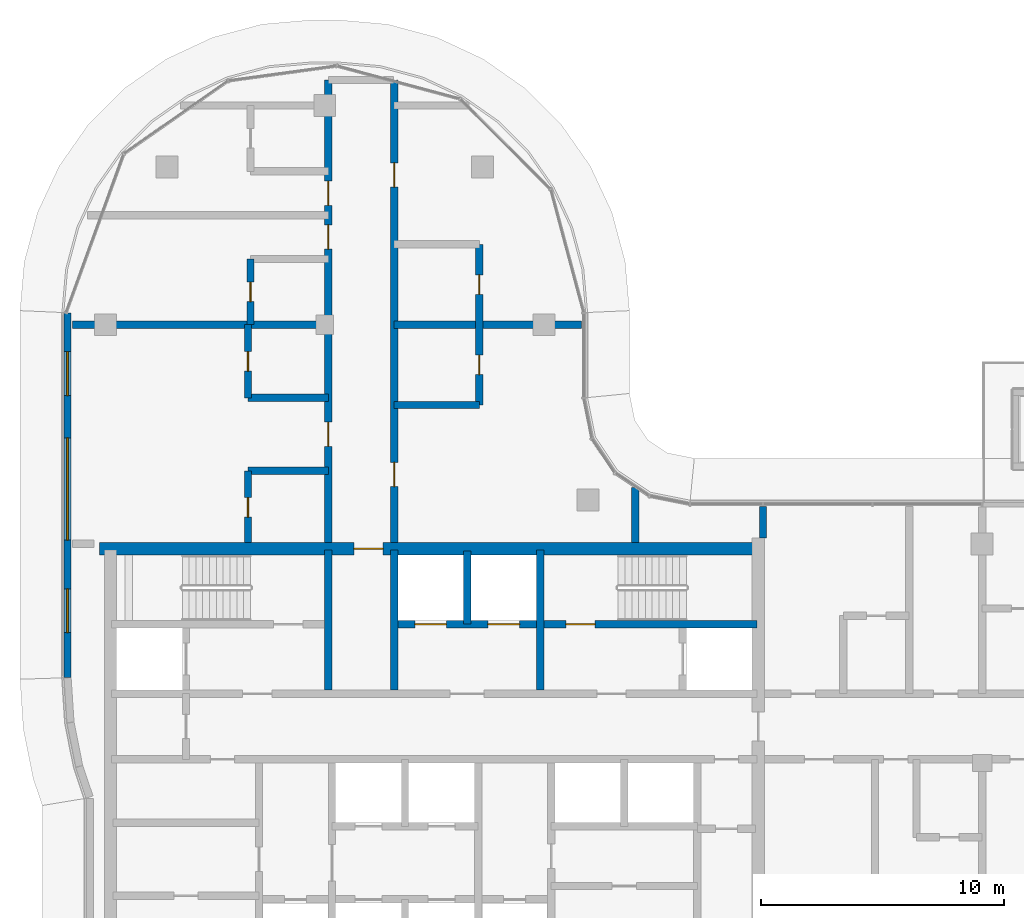
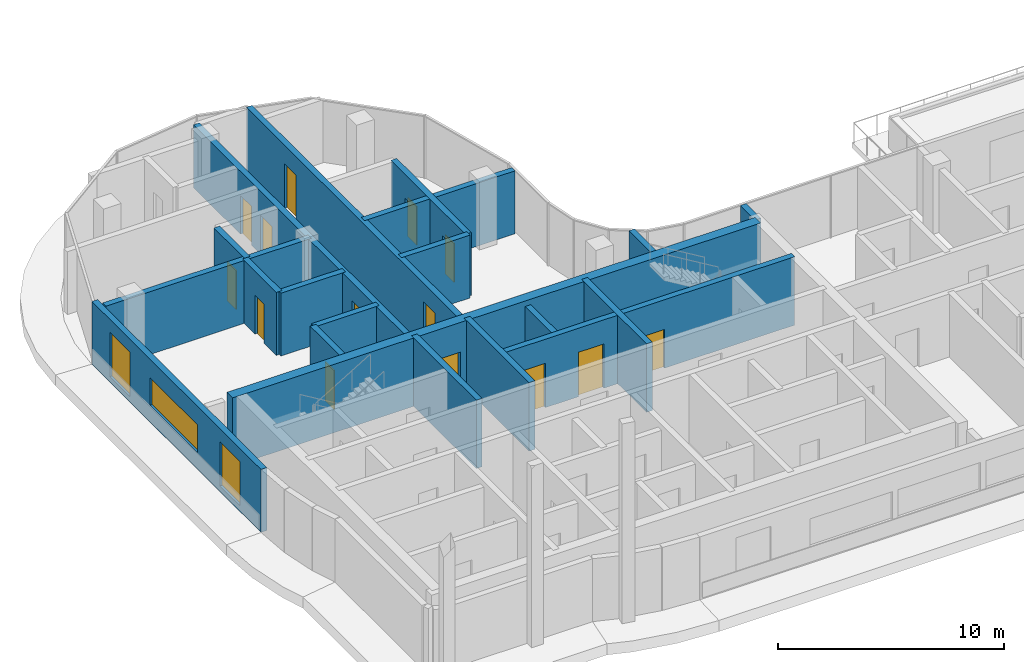
# One storey, part 10 of 20: 20 walls, 14 doors, 3 windows, 17 openings.
"""IFC4 building model written with IfcOpenShell, lengths in metres."""

from ifc_helpers import new_model, si_unit, direction, frame, frame_2d, origin, place, context, subcontext, project, spatial, rectangle, extrude, material, layer, layer_set, type_object, element, fill, save


model = new_model("IFC4")

# Units and contexts
model_context = context("Model", 3, precision=1e-05, world=origin(), true_north=direction((0.0, 1.0)))
body_context = subcontext(model_context, "Body", "Model", "MODEL_VIEW")
ifc_project = project(units=[si_unit("LENGTHUNIT", "METRE"), si_unit("AREAUNIT", "SQUARE_METRE"), si_unit("VOLUMEUNIT", "CUBIC_METRE"), si_unit("PLANEANGLEUNIT", "RADIAN"), si_unit("MASSUNIT", "GRAM", prefix="KILO")], contexts=[model_context])

# Site, building, storey
site_placement = place(None, origin())
site = spatial("IfcSite", under=ifc_project, at=site_placement, CompositionType="ELEMENT")
building_placement = place(site_placement, origin())
building = spatial("IfcBuilding", under=site, at=building_placement, Name="Ogive Portal Towers", CompositionType="ELEMENT")
storey_placement = place(building_placement, frame((0.0, 0.0, 195.800048828125)))
storey = spatial("IfcBuildingStorey", under=building, at=storey_placement, Name="L48", CompositionType="ELEMENT", Elevation=195.800048828125)

# Wall, openings, doors
ifc_material_1 = material(Name="Concrete C60/75", Category="concrete")
ifc_layer_1 = layer(ifc_material_1, 0.300048828125)
ifc_layer_set_1 = layer_set([ifc_layer_1], Name="CORE WALL 300 C60")
wall_type_1 = type_object("IfcWallType", Name="CORE WALL 300 C60", PredefinedType="SHEAR", material=ifc_layer_set_1)
wall_1_placement = place(storey_placement, frame((43.5, 36.199951171875, 0.0), z_axis=(0.0, 0.0, 1.0), x_axis=(1.0, 0.0, 0.0)))
wall_1 = element("IfcWall", 1, at=wall_1_placement, inside=storey, type_object=wall_type_1, Name="Core wall Y3b L48", PredefinedType="SHEAR", context=body_context, shape_type="SweptSolid", body=[
    extrude(rectangle(XDim=14.75, YDim=0.300048828125, at=frame_2d((7.375, 0.0))), origin(), (0.0, 0.0, 1.0), 3.699951171875),
])
opening_1_placement = place(wall_1_placement, frame((6.89990234375, 0.0, 0.0)))
opening_1 = element("IfcOpeningElement", 2, at=opening_1_placement, cuts=wall_1, Name="Opening D35-006", PredefinedType="OPENING", context=body_context, shape_type="SweptSolid", body=[
    extrude(rectangle(XDim=1.199951171875, YDim=2.10009765625, at=frame_2d((0.60009765625, 1.050048828125))), frame((0.0, 0.16015625, 0.0), z_axis=(0.0, -1.0, 0.0), x_axis=(1.0, 0.0, 0.0)), (0.0, 0.0, 1.0), 0.320068359375),
])
opening_2_placement = place(wall_1_placement, frame((0.699951171875, 0.0, 0.0)))
opening_2 = element("IfcOpeningElement", 3, at=opening_2_placement, cuts=wall_1, Name="Opening D35-017", PredefinedType="OPENING", context=body_context, shape_type="SweptSolid", body=[
    extrude(rectangle(XDim=1.300048828125, YDim=2.39990234375, at=frame_2d((0.64990234375, 1.199951171875))), frame((0.0, 0.16015625, 0.0), z_axis=(0.0, -1.0, 0.0), x_axis=(1.0, 0.0, 0.0)), (0.0, 0.0, 1.0), 0.320068359375),
])
opening_3_placement = place(wall_1_placement, frame((3.699951171875, 0.0, 0.0)))
opening_3 = element("IfcOpeningElement", 4, at=opening_3_placement, cuts=wall_1, Name="Opening D35-018", PredefinedType="OPENING", context=body_context, shape_type="SweptSolid", body=[
    extrude(rectangle(XDim=1.300048828125, YDim=2.39990234375, at=frame_2d((0.64990234375, 1.199951171875))), frame((0.0, 0.16015625, 0.0), z_axis=(0.0, -1.0, 0.0), x_axis=(1.0, 0.0, 0.0)), (0.0, 0.0, 1.0), 0.320068359375),
])
ifc_material_2 = material(Name="Stainless steel", Category="steel")
door_type_1 = type_object("IfcDoorType", Name="DT-LD-1300x2400", OperationType="SLIDING_TO_LEFT", PredefinedType="DOOR", material=ifc_material_2)
door_1_placement = place(opening_2_placement, origin())
door_1 = element("IfcDoor", 5, at=door_1_placement, inside=storey, type_object=door_type_1, Name="Door D35-017", OperationType="SLIDING_TO_LEFT", OverallHeight=2.39990234375, OverallWidth=1.300048828125, PredefinedType="DOOR", context=body_context, shape_type="SweptSolid", body=[
    extrude(rectangle(XDim=1.300048828125, YDim=2.39990234375, at=frame_2d((0.64990234375, 1.199951171875))), frame((0.0, 0.02490234375, 0.0), z_axis=(0.0, -1.0, 0.0), x_axis=(1.0, 0.0, 0.0)), (0.0, 0.0, 1.0), 0.050048828125),
])
fill(opening_2, door_1)
door_2_placement = place(opening_3_placement, origin())
door_2 = element("IfcDoor", 6, at=door_2_placement, inside=storey, type_object=door_type_1, Name="Door D35-018", OperationType="SLIDING_TO_LEFT", OverallHeight=2.39990234375, OverallWidth=1.300048828125, PredefinedType="DOOR", context=body_context, shape_type="SweptSolid", body=[
    extrude(rectangle(XDim=1.300048828125, YDim=2.39990234375, at=frame_2d((0.64990234375, 1.199951171875))), frame((0.0, 0.02490234375, 0.0), z_axis=(0.0, -1.0, 0.0), x_axis=(1.0, 0.0, 0.0)), (0.0, 0.0, 1.0), 0.050048828125),
])
fill(opening_3, door_2)
ifc_material_3 = material(Name="Steel fire door", Category="steel")
door_type_2 = type_object("IfcDoorType", Name="DT-SWING-1200x2100-FD90S", OperationType="SINGLE_SWING_LEFT", PredefinedType="DOOR", material=ifc_material_3)
door_3_placement = place(opening_1_placement, origin())
door_3 = element("IfcDoor", 7, at=door_3_placement, inside=storey, type_object=door_type_2, Name="Door D35-006", OperationType="SINGLE_SWING_LEFT", OverallHeight=2.10009765625, OverallWidth=1.199951171875, PredefinedType="DOOR", context=body_context, shape_type="SweptSolid", body=[
    extrude(rectangle(XDim=1.199951171875, YDim=2.10009765625, at=frame_2d((0.60009765625, 1.050048828125))), frame((0.0, 0.02490234375, 0.0), z_axis=(0.0, -1.0, 0.0), x_axis=(1.0, 0.0, 0.0)), (0.0, 0.0, 1.0), 0.050048828125),
])
fill(opening_1, door_3)

# Walls
for number, where, z_axis, x_axis, name in (
    (8, (40.64990234375, 33.5, 0.0), (0.0, 0.0, 1.0), (0.0, 1.0, 0.0), "Core wall X6 L48"),
    (9, (43.35009765625, 33.5, 0.0), (0.0, 0.0, 1.0), (0.0, 1.0, 0.0), "Core wall X7 L48"),
    (10, (49.35009765625, 33.5, 0.0), (0.0, 0.0, 1.0), (0.0, 1.0, 0.0), "Core wall X9 L48"),
):
    element("IfcWall", number, at=place(storey_placement, frame(where, z_axis=z_axis, x_axis=x_axis)), inside=storey, type_object=wall_type_1, Name=name, PredefinedType="SHEAR", context=body_context, shape_type="SweptSolid", body=[
        extrude(rectangle(XDim=5.75, YDim=0.300048828125, at=frame_2d((2.875, 0.0))), origin(), (0.0, 0.0, 1.0), 3.699951171875),
    ])

# Wall, opening, door
ifc_layer_2 = layer(ifc_material_1, 0.5)
ifc_layer_set_2 = layer_set([ifc_layer_2], Name="CORE WALL 500 C60")
wall_type_2 = type_object("IfcWallType", Name="CORE WALL 500 C60", PredefinedType="SHEAR", material=ifc_layer_set_2)
wall_2_placement = place(storey_placement, frame((31.25, 39.300048828125, 0.0), z_axis=(0.0, 0.0, 1.0), x_axis=(1.0, 0.0, 0.0)))
wall_2 = element("IfcWall", 11, at=wall_2_placement, inside=storey, type_object=wall_type_2, Name="Core wall N L48", PredefinedType="SHEAR", context=body_context, shape_type="SweptSolid", body=[
    extrude(rectangle(XDim=27.0, YDim=0.5, at=frame_2d((13.5, 0.0))), origin(), (0.0, 0.0, 1.0), 3.699951171875),
])
opening_4_placement = place(wall_2_placement, frame((10.449951171875, 0.0, 0.0)))
opening_4 = element("IfcOpeningElement", 12, at=opening_4_placement, cuts=wall_2, Name="Opening D35-012", PredefinedType="OPENING", context=body_context, shape_type="SweptSolid", body=[
    extrude(rectangle(XDim=1.199951171875, YDim=2.10009765625, at=frame_2d((0.60009765625, 1.050048828125))), frame((0.0, 0.260009765625, 0.0), z_axis=(0.0, -1.0, 0.0), x_axis=(1.0, 0.0, 0.0)), (0.0, 0.0, 1.0), 0.52001953125),
])
door_4_placement = place(opening_4_placement, origin())
door_4 = element("IfcDoor", 13, at=door_4_placement, inside=storey, type_object=door_type_2, Name="Door D35-012", OperationType="SINGLE_SWING_RIGHT", OverallHeight=2.10009765625, OverallWidth=1.199951171875, PredefinedType="DOOR", context=body_context, shape_type="SweptSolid", body=[
    extrude(rectangle(XDim=1.199951171875, YDim=2.10009765625, at=frame_2d((0.60009765625, 1.050048828125))), frame((0.0, 0.02490234375, 0.0), z_axis=(0.0, -1.0, 0.0), x_axis=(1.0, 0.0, 0.0)), (0.0, 0.0, 1.0), 0.050048828125),
])
fill(opening_4, door_4)

# Wall, openings, windows
ifc_material_4 = material(Name="Limestone cladding on lightweight block wall", Category="masonry")
ifc_layer_3 = layer(ifc_material_4, 0.300048828125)
ifc_layer_set_3 = layer_set([ifc_layer_3], Name="EXTERNAL WALL 300 STONE")
wall_type_3 = type_object("IfcWallType", Name="EXTERNAL WALL 300 STONE", PredefinedType="SOLIDWALL", material=ifc_layer_set_3)
wall_3_placement = place(storey_placement, frame((29.93505859375, 48.98583984375, 0.0), z_axis=(0.0, 0.0, 1.0), x_axis=(0.0, -1.0, 0.0)))
wall_3 = element("IfcWall", 14, at=wall_3_placement, inside=storey, type_object=wall_type_3, Name="A:L48:f25:r0:wall", PredefinedType="SOLIDWALL", context=body_context, shape_type="SweptSolid", body=[
    extrude(rectangle(XDim=14.97607421875, YDim=0.300048828125, at=frame_2d((7.488037109375, 0.0))), origin(), (0.0, 0.0, 1.0), 3.39990234375),
])
opening_5_placement = place(wall_3_placement, frame((1.593017578125, 0.0, 0.300048828125)))
opening_5 = element("IfcOpeningElement", 15, at=opening_5_placement, cuts=wall_3, Name="Opening WN10", PredefinedType="OPENING", context=body_context, shape_type="SweptSolid", body=[
    extrude(rectangle(XDim=1.800048828125, YDim=2.39990234375, at=frame_2d((0.89990234375, 1.199951171875))), frame((0.0, 0.16015625, 0.0), z_axis=(0.0, -1.0, 0.0), x_axis=(1.0, 0.0, 0.0)), (0.0, 0.0, 1.0), 0.320068359375),
])
opening_6_placement = place(wall_3_placement, frame((5.135986328125, 0.0, 0.89990234375)))
opening_6 = element("IfcOpeningElement", 16, at=opening_6_placement, cuts=wall_3, Name="Opening WN11", PredefinedType="OPENING", context=body_context, shape_type="SweptSolid", body=[
    extrude(rectangle(XDim=4.199951171875, YDim=1.5, at=frame_2d((2.10009765625, 0.75))), frame((0.0, 0.16015625, 0.0), z_axis=(0.0, -1.0, 0.0), x_axis=(1.0, 0.0, 0.0)), (0.0, 0.0, 1.0), 0.320068359375),
])
opening_7_placement = place(wall_3_placement, frame((11.3310546875, 0.0, 0.300048828125)))
opening_7 = element("IfcOpeningElement", 17, at=opening_7_placement, cuts=wall_3, Name="Opening WN10", PredefinedType="OPENING", context=body_context, shape_type="SweptSolid", body=[
    extrude(rectangle(XDim=1.800048828125, YDim=2.39990234375, at=frame_2d((0.89990234375, 1.199951171875))), frame((0.0, 0.16015625, 0.0), z_axis=(0.0, -1.0, 0.0), x_axis=(1.0, 0.0, 0.0)), (0.0, 0.0, 1.0), 0.320068359375),
])
ifc_material_5 = material(Name="Glass, clear low-iron insulated glazing", Category="glass")
window_type_1 = type_object("IfcWindowType", Name="WINDOW RIBBON 4200x1500", PartitioningType="TRIPLE_PANEL_VERTICAL", PredefinedType="WINDOW", material=ifc_material_5)
window_1_placement = place(opening_6_placement, origin())
window_1 = element("IfcWindow", 18, at=window_1_placement, inside=storey, type_object=window_type_1, Name="A:L48:f25:r0:w1", OverallHeight=1.5, OverallWidth=4.199951171875, PartitioningType="SINGLE_PANEL", PredefinedType="WINDOW", context=body_context, shape_type="SweptSolid", body=[
    extrude(rectangle(XDim=4.199951171875, YDim=1.5, at=frame_2d((2.10009765625, 0.75))), frame((0.0, 0.030029296875, 0.0), z_axis=(0.0, -1.0, 0.0), x_axis=(1.0, 0.0, 0.0)), (0.0, 0.0, 1.0), 0.06005859375),
])
fill(opening_6, window_1)
window_type_2 = type_object("IfcWindowType", Name="WINDOW SUITE CORNER 1800x2400", PartitioningType="DOUBLE_PANEL_VERTICAL", PredefinedType="WINDOW", material=ifc_material_5)
window_2_placement = place(opening_5_placement, origin())
window_2 = element("IfcWindow", 19, at=window_2_placement, inside=storey, type_object=window_type_2, Name="A:L48:f25:r0:w0", OverallHeight=2.39990234375, OverallWidth=1.800048828125, PartitioningType="SINGLE_PANEL", PredefinedType="WINDOW", context=body_context, shape_type="SweptSolid", body=[
    extrude(rectangle(XDim=1.800048828125, YDim=2.39990234375, at=frame_2d((0.89990234375, 1.199951171875))), frame((0.0, 0.030029296875, 0.0), z_axis=(0.0, -1.0, 0.0), x_axis=(1.0, 0.0, 0.0)), (0.0, 0.0, 1.0), 0.06005859375),
])
fill(opening_5, window_2)
window_3_placement = place(opening_7_placement, origin())
window_3 = element("IfcWindow", 20, at=window_3_placement, inside=storey, type_object=window_type_2, Name="A:L48:f25:r0:w2", OverallHeight=2.39990234375, OverallWidth=1.800048828125, PartitioningType="SINGLE_PANEL", PredefinedType="WINDOW", context=body_context, shape_type="SweptSolid", body=[
    extrude(rectangle(XDim=1.800048828125, YDim=2.39990234375, at=frame_2d((0.89990234375, 1.199951171875))), frame((0.0, 0.030029296875, 0.0), z_axis=(0.0, -1.0, 0.0), x_axis=(1.0, 0.0, 0.0)), (0.0, 0.0, 1.0), 0.06005859375),
])
fill(opening_7, window_3)

# Walls
ifc_material_6 = material(Name="Gypsum board partition on steel studs", Category="steel")
ifc_layer_4 = layer(ifc_material_6, 0.300048828125)
ifc_layer_set_4 = layer_set([ifc_layer_4], Name="WT-PART-300-EI 60")
wall_type_4 = type_object("IfcWallType", Name="WT-PART-300-EI 60", PredefinedType="PARTITIONING", material=ifc_layer_set_4)
wall_4_placement = place(storey_placement, frame((37.35009765625, 42.5, 0.0), z_axis=(0.0, 0.0, 1.0), x_axis=(1.0, 0.0, 0.0)))
element("IfcWall", 21, at=wall_4_placement, inside=storey, type_object=wall_type_4, Name="Wall L48:w014", PredefinedType="PARTITIONING", context=body_context, shape_type="SweptSolid", body=[
    extrude(rectangle(XDim=3.2998046875, YDim=0.300048828125, at=frame_2d((1.64990234375, 0.0))), origin(), (0.0, 0.0, 1.0), 3.39990234375),
])
wall_5_placement = place(storey_placement, frame((43.35009765625, 45.199951171875, 0.0), z_axis=(0.0, 0.0, 1.0), x_axis=(1.0, 0.0, 0.0)))
element("IfcWall", 22, at=wall_5_placement, inside=storey, type_object=wall_type_4, Name="Wall L48:w015", PredefinedType="PARTITIONING", context=body_context, shape_type="SweptSolid", body=[
    extrude(rectangle(XDim=3.5, YDim=0.300048828125, at=frame_2d((1.75, 0.0))), origin(), (0.0, 0.0, 1.0), 3.39990234375),
])
wall_6_placement = place(storey_placement, frame((37.35009765625, 45.5, 0.0), z_axis=(0.0, 0.0, 1.0), x_axis=(1.0, 0.0, 0.0)))
element("IfcWall", 23, at=wall_6_placement, inside=storey, type_object=wall_type_4, Name="Wall L48:w016", PredefinedType="PARTITIONING", context=body_context, shape_type="SweptSolid", body=[
    extrude(rectangle(XDim=3.2998046875, YDim=0.300048828125, at=frame_2d((1.64990234375, 0.0))), origin(), (0.0, 0.0, 1.0), 3.39990234375),
])
wall_7_placement = place(storey_placement, frame((30.135009765625, 48.5, 0.0), z_axis=(0.0, 0.0, 1.0), x_axis=(1.0, 0.0, 0.0)))
element("IfcWall", 24, at=wall_7_placement, inside=storey, type_object=wall_type_4, Name="Wall L48:w017", PredefinedType="PARTITIONING", context=body_context, shape_type="SweptSolid", body=[
    extrude(rectangle(XDim=10.514892578125, YDim=0.300048828125, at=frame_2d((5.25732421875, 0.0))), origin(), (0.0, 0.0, 1.0), 3.39990234375),
])
wall_8_placement = place(storey_placement, frame((43.35009765625, 48.5, 0.0), z_axis=(0.0, 0.0, 1.0), x_axis=(1.0, 0.0, 0.0)))
element("IfcWall", 25, at=wall_8_placement, inside=storey, type_object=wall_type_4, Name="Wall L48:w018", PredefinedType="PARTITIONING", context=body_context, shape_type="SweptSolid", body=[
    extrude(rectangle(XDim=7.69482421875, YDim=0.300048828125, at=frame_2d((3.847412109375, 0.0))), origin(), (0.0, 0.0, 1.0), 3.39990234375),
])

# Wall, opening, door
wall_9_placement = place(storey_placement, frame((37.35009765625, 39.550048828125, 0.0), z_axis=(0.0, 0.0, 1.0), x_axis=(0.0, 1.0, 0.0)))
wall_9 = element("IfcWall", 26, at=wall_9_placement, inside=storey, type_object=wall_type_4, Name="Wall L48:w026", PredefinedType="PARTITIONING", context=body_context, shape_type="SweptSolid", body=[
    extrude(rectangle(XDim=2.949951171875, YDim=0.300048828125, at=frame_2d((1.47509765625, 0.0))), origin(), (0.0, 0.0, 1.0), 3.39990234375),
])
opening_8_placement = place(wall_9_placement, frame((1.050048828125, 0.0, 0.0)))
opening_8 = element("IfcOpeningElement", 27, at=opening_8_placement, cuts=wall_9, Name="Opening D35-045", PredefinedType="OPENING", context=body_context, shape_type="SweptSolid", body=[
    extrude(rectangle(XDim=0.800048828125, YDim=2.10009765625, at=frame_2d((0.39990234375, 1.050048828125))), frame((0.0, 0.16015625, 0.0), z_axis=(0.0, -1.0, 0.0), x_axis=(1.0, 0.0, 0.0)), (0.0, 0.0, 1.0), 0.320068359375),
])
door_type_3 = type_object("IfcDoorType", Name="DT-BATH-800x2100-FD60S", OperationType="SINGLE_SWING_LEFT", PredefinedType="DOOR", material=ifc_material_3)
door_5_placement = place(opening_8_placement, origin())
door_5 = element("IfcDoor", 28, at=door_5_placement, inside=storey, type_object=door_type_3, Name="Door D35-045", OperationType="SINGLE_SWING_LEFT", OverallHeight=2.10009765625, OverallWidth=0.800048828125, PredefinedType="DOOR", context=body_context, shape_type="SweptSolid", body=[
    extrude(rectangle(XDim=0.800048828125, YDim=2.10009765625, at=frame_2d((0.39990234375, 1.050048828125))), frame((0.0, 0.02490234375, 0.0), z_axis=(0.0, -1.0, 0.0), x_axis=(1.0, 0.0, 0.0)), (0.0, 0.0, 1.0), 0.050048828125),
])
fill(opening_8, door_5)

wall_10_placement = place(storey_placement, frame((37.35009765625, 45.5, 0.0), z_axis=(0.0, 0.0, 1.0), x_axis=(0.0, 1.0, 0.0)))
wall_10 = element("IfcWall", 29, at=wall_10_placement, inside=storey, type_object=wall_type_4, Name="Wall L48:w027", PredefinedType="PARTITIONING", context=body_context, shape_type="SweptSolid", body=[
    extrude(rectangle(XDim=3.0, YDim=0.300048828125, at=frame_2d((1.5, 0.0))), origin(), (0.0, 0.0, 1.0), 3.39990234375),
])
opening_9_placement = place(wall_10_placement, frame((1.10009765625, 0.0, 0.0)))
opening_9 = element("IfcOpeningElement", 30, at=opening_9_placement, cuts=wall_10, Name="Opening D35-046", PredefinedType="OPENING", context=body_context, shape_type="SweptSolid", body=[
    extrude(rectangle(XDim=0.800048828125, YDim=2.10009765625, at=frame_2d((0.39990234375, 1.050048828125))), frame((0.0, 0.16015625, 0.0), z_axis=(0.0, -1.0, 0.0), x_axis=(1.0, 0.0, 0.0)), (0.0, 0.0, 1.0), 0.320068359375),
])
door_6_placement = place(opening_9_placement, origin())
door_6 = element("IfcDoor", 31, at=door_6_placement, inside=storey, type_object=door_type_3, Name="Door D35-046", OperationType="SINGLE_SWING_RIGHT", OverallHeight=2.10009765625, OverallWidth=0.800048828125, PredefinedType="DOOR", context=body_context, shape_type="SweptSolid", body=[
    extrude(rectangle(XDim=0.800048828125, YDim=2.10009765625, at=frame_2d((0.39990234375, 1.050048828125))), frame((0.0, 0.02490234375, 0.0), z_axis=(0.0, -1.0, 0.0), x_axis=(1.0, 0.0, 0.0)), (0.0, 0.0, 1.0), 0.050048828125),
])
fill(opening_9, door_6)

wall_11_placement = place(storey_placement, frame((37.449951171875, 48.5, 0.0), z_axis=(0.0, 0.0, 1.0), x_axis=(0.0, 1.0, 0.0)))
wall_11 = element("IfcWall", 32, at=wall_11_placement, inside=storey, type_object=wall_type_4, Name="Wall L48:w028", PredefinedType="PARTITIONING", context=body_context, shape_type="SweptSolid", body=[
    extrude(rectangle(XDim=2.699951171875, YDim=0.300048828125, at=frame_2d((1.35009765625, 0.0))), origin(), (0.0, 0.0, 1.0), 3.39990234375),
])
opening_10_placement = place(wall_11_placement, frame((0.949951171875, 0.0, 0.0)))
opening_10 = element("IfcOpeningElement", 33, at=opening_10_placement, cuts=wall_11, Name="Opening D35-050", PredefinedType="OPENING", context=body_context, shape_type="SweptSolid", body=[
    extrude(rectangle(XDim=0.800048828125, YDim=2.10009765625, at=frame_2d((0.39990234375, 1.050048828125))), frame((0.0, 0.16015625, 0.0), z_axis=(0.0, -1.0, 0.0), x_axis=(1.0, 0.0, 0.0)), (0.0, 0.0, 1.0), 0.320068359375),
])
door_7_placement = place(opening_10_placement, origin())
door_7 = element("IfcDoor", 34, at=door_7_placement, inside=storey, type_object=door_type_3, Name="Door D35-050", OperationType="SINGLE_SWING_LEFT", OverallHeight=2.10009765625, OverallWidth=0.800048828125, PredefinedType="DOOR", context=body_context, shape_type="SweptSolid", body=[
    extrude(rectangle(XDim=0.800048828125, YDim=2.10009765625, at=frame_2d((0.39990234375, 1.050048828125))), frame((0.0, 0.02490234375, 0.0), z_axis=(0.0, -1.0, 0.0), x_axis=(1.0, 0.0, 0.0)), (0.0, 0.0, 1.0), 0.050048828125),
])
fill(opening_10, door_7)

# Wall, openings, doors
wall_12_placement = place(storey_placement, frame((40.64990234375, 39.550048828125, 0.0), z_axis=(0.0, 0.0, 1.0), x_axis=(0.0, 1.0, 0.0)))
wall_12 = element("IfcWall", 35, at=wall_12_placement, inside=storey, type_object=wall_type_4, Name="Wall L48:w030", PredefinedType="PARTITIONING", context=body_context, shape_type="SweptSolid", body=[
    extrude(rectangle(XDim=19.0, YDim=0.300048828125, at=frame_2d((9.5, 0.0))), origin(), (0.0, 0.0, 1.0), 3.39990234375),
])
opening_11_placement = place(wall_12_placement, frame((3.949951171875, 0.0, 0.0)))
opening_11 = element("IfcOpeningElement", 36, at=opening_11_placement, cuts=wall_12, Name="Opening D35-047", PredefinedType="OPENING", context=body_context, shape_type="SweptSolid", body=[
    extrude(rectangle(XDim=1.0, YDim=2.39990234375, at=frame_2d((0.5, 1.199951171875))), frame((0.0, 0.16015625, 0.0), z_axis=(0.0, -1.0, 0.0), x_axis=(1.0, 0.0, 0.0)), (0.0, 0.0, 1.0), 0.320068359375),
])
opening_12_placement = place(wall_12_placement, frame((12.050048828125, 0.0, 0.0)))
opening_12 = element("IfcOpeningElement", 37, at=opening_12_placement, cuts=wall_12, Name="Opening D35-051", PredefinedType="OPENING", context=body_context, shape_type="SweptSolid", body=[
    extrude(rectangle(XDim=1.0, YDim=2.10009765625, at=frame_2d((0.5, 1.050048828125))), frame((0.0, 0.16015625, 0.0), z_axis=(0.0, -1.0, 0.0), x_axis=(1.0, 0.0, 0.0)), (0.0, 0.0, 1.0), 0.320068359375),
])
opening_13_placement = place(wall_12_placement, frame((13.85009765625, 0.0, 0.0)))
opening_13 = element("IfcOpeningElement", 38, at=opening_13_placement, cuts=wall_12, Name="Opening D35-053", PredefinedType="OPENING", context=body_context, shape_type="SweptSolid", body=[
    extrude(rectangle(XDim=1.0, YDim=2.10009765625, at=frame_2d((0.5, 1.050048828125))), frame((0.0, 0.16015625, 0.0), z_axis=(0.0, -1.0, 0.0), x_axis=(1.0, 0.0, 0.0)), (0.0, 0.0, 1.0), 0.320068359375),
])
door_type_4 = type_object("IfcDoorType", Name="DT-ENTRY-1000x2100-FD60S", OperationType="SINGLE_SWING_LEFT", PredefinedType="DOOR", material=ifc_material_3)
door_8_placement = place(opening_12_placement, origin())
door_8 = element("IfcDoor", 39, at=door_8_placement, inside=storey, type_object=door_type_4, Name="Door D35-051", OperationType="SINGLE_SWING_RIGHT", OverallHeight=2.10009765625, OverallWidth=1.0, PredefinedType="DOOR", context=body_context, shape_type="SweptSolid", body=[
    extrude(rectangle(XDim=1.0, YDim=2.10009765625, at=frame_2d((0.5, 1.050048828125))), frame((0.0, 0.02490234375, 0.0), z_axis=(0.0, -1.0, 0.0), x_axis=(1.0, 0.0, 0.0)), (0.0, 0.0, 1.0), 0.050048828125),
])
fill(opening_12, door_8)
door_9_placement = place(opening_13_placement, origin())
door_9 = element("IfcDoor", 40, at=door_9_placement, inside=storey, type_object=door_type_4, Name="Door D35-053", OperationType="SINGLE_SWING_LEFT", OverallHeight=2.10009765625, OverallWidth=1.0, PredefinedType="DOOR", context=body_context, shape_type="SweptSolid", body=[
    extrude(rectangle(XDim=1.0, YDim=2.10009765625, at=frame_2d((0.5, 1.050048828125))), frame((0.0, 0.02490234375, 0.0), z_axis=(0.0, -1.0, 0.0), x_axis=(1.0, 0.0, 0.0)), (0.0, 0.0, 1.0), 0.050048828125),
])
fill(opening_13, door_9)
door_type_5 = type_object("IfcDoorType", Name="DT-ENTRY-1000x2400-FD60S", OperationType="SINGLE_SWING_LEFT", PredefinedType="DOOR", material=ifc_material_3)
door_10_placement = place(opening_11_placement, origin())
door_10 = element("IfcDoor", 41, at=door_10_placement, inside=storey, type_object=door_type_5, Name="Door D35-047", OperationType="SINGLE_SWING_LEFT", OverallHeight=2.39990234375, OverallWidth=1.0, PredefinedType="DOOR", context=body_context, shape_type="SweptSolid", body=[
    extrude(rectangle(XDim=1.0, YDim=2.39990234375, at=frame_2d((0.5, 1.199951171875))), frame((0.0, 0.02490234375, 0.0), z_axis=(0.0, -1.0, 0.0), x_axis=(1.0, 0.0, 0.0)), (0.0, 0.0, 1.0), 0.050048828125),
])
fill(opening_11, door_10)

wall_13_placement = place(storey_placement, frame((43.35009765625, 39.550048828125, 0.0), z_axis=(0.0, 0.0, 1.0), x_axis=(0.0, 1.0, 0.0)))
wall_13 = element("IfcWall", 42, at=wall_13_placement, inside=storey, type_object=wall_type_4, Name="Wall L48:w031", PredefinedType="PARTITIONING", context=body_context, shape_type="SweptSolid", body=[
    extrude(rectangle(XDim=18.992919921875, YDim=0.300048828125, at=frame_2d((9.49658203125, 0.0))), origin(), (0.0, 0.0, 1.0), 3.39990234375),
])
opening_14_placement = place(wall_13_placement, frame((2.300048828125, 0.0, 0.0)))
opening_14 = element("IfcOpeningElement", 43, at=opening_14_placement, cuts=wall_13, Name="Opening D35-044", PredefinedType="OPENING", context=body_context, shape_type="SweptSolid", body=[
    extrude(rectangle(XDim=1.0, YDim=2.39990234375, at=frame_2d((0.5, 1.199951171875))), frame((0.0, 0.16015625, 0.0), z_axis=(0.0, -1.0, 0.0), x_axis=(1.0, 0.0, 0.0)), (0.0, 0.0, 1.0), 0.320068359375),
])
opening_15_placement = place(wall_13_placement, frame((14.60009765625, 0.0, 0.0)))
opening_15 = element("IfcOpeningElement", 44, at=opening_15_placement, cuts=wall_13, Name="Opening D35-049", PredefinedType="OPENING", context=body_context, shape_type="SweptSolid", body=[
    extrude(rectangle(XDim=1.0, YDim=2.39990234375, at=frame_2d((0.5, 1.199951171875))), frame((0.0, 0.16015625, 0.0), z_axis=(0.0, -1.0, 0.0), x_axis=(1.0, 0.0, 0.0)), (0.0, 0.0, 1.0), 0.320068359375),
])
door_11_placement = place(opening_14_placement, origin())
door_11 = element("IfcDoor", 45, at=door_11_placement, inside=storey, type_object=door_type_5, Name="Door D35-044", OperationType="SINGLE_SWING_LEFT", OverallHeight=2.39990234375, OverallWidth=1.0, PredefinedType="DOOR", context=body_context, shape_type="SweptSolid", body=[
    extrude(rectangle(XDim=1.0, YDim=2.39990234375, at=frame_2d((0.5, 1.199951171875))), frame((0.0, 0.02490234375, 0.0), z_axis=(0.0, -1.0, 0.0), x_axis=(1.0, 0.0, 0.0)), (0.0, 0.0, 1.0), 0.050048828125),
])
fill(opening_14, door_11)
door_12_placement = place(opening_15_placement, origin())
door_12 = element("IfcDoor", 46, at=door_12_placement, inside=storey, type_object=door_type_5, Name="Door D35-049", OperationType="SINGLE_SWING_LEFT", OverallHeight=2.39990234375, OverallWidth=1.0, PredefinedType="DOOR", context=body_context, shape_type="SweptSolid", body=[
    extrude(rectangle(XDim=1.0, YDim=2.39990234375, at=frame_2d((0.5, 1.199951171875))), frame((0.0, 0.02490234375, 0.0), z_axis=(0.0, -1.0, 0.0), x_axis=(1.0, 0.0, 0.0)), (0.0, 0.0, 1.0), 0.050048828125),
])
fill(opening_15, door_12)

wall_14_placement = place(storey_placement, frame((46.85009765625, 45.199951171875, 0.0), z_axis=(0.0, 0.0, 1.0), x_axis=(0.0, 1.0, 0.0)))
wall_14 = element("IfcWall", 47, at=wall_14_placement, inside=storey, type_object=wall_type_4, Name="Wall L48:w032", PredefinedType="PARTITIONING", context=body_context, shape_type="SweptSolid", body=[
    extrude(rectangle(XDim=6.60009765625, YDim=0.300048828125, at=frame_2d((3.300048828125, 0.0))), origin(), (0.0, 0.0, 1.0), 3.39990234375),
])
opening_16_placement = place(wall_14_placement, frame((1.25, 0.0, 0.0)))
opening_16 = element("IfcOpeningElement", 48, at=opening_16_placement, cuts=wall_14, Name="Opening D35-043", PredefinedType="OPENING", context=body_context, shape_type="SweptSolid", body=[
    extrude(rectangle(XDim=0.800048828125, YDim=2.10009765625, at=frame_2d((0.39990234375, 1.050048828125))), frame((0.0, 0.16015625, 0.0), z_axis=(0.0, -1.0, 0.0), x_axis=(1.0, 0.0, 0.0)), (0.0, 0.0, 1.0), 0.320068359375),
])
opening_17_placement = place(wall_14_placement, frame((4.550048828125, 0.0, 0.0)))
opening_17 = element("IfcOpeningElement", 49, at=opening_17_placement, cuts=wall_14, Name="Opening D35-048", PredefinedType="OPENING", context=body_context, shape_type="SweptSolid", body=[
    extrude(rectangle(XDim=0.800048828125, YDim=2.10009765625, at=frame_2d((0.39990234375, 1.050048828125))), frame((0.0, 0.16015625, 0.0), z_axis=(0.0, -1.0, 0.0), x_axis=(1.0, 0.0, 0.0)), (0.0, 0.0, 1.0), 0.320068359375),
])
door_13_placement = place(opening_16_placement, origin())
door_13 = element("IfcDoor", 50, at=door_13_placement, inside=storey, type_object=door_type_3, Name="Door D35-043", OperationType="SINGLE_SWING_RIGHT", OverallHeight=2.10009765625, OverallWidth=0.800048828125, PredefinedType="DOOR", context=body_context, shape_type="SweptSolid", body=[
    extrude(rectangle(XDim=0.800048828125, YDim=2.10009765625, at=frame_2d((0.39990234375, 1.050048828125))), frame((0.0, 0.02490234375, 0.0), z_axis=(0.0, -1.0, 0.0), x_axis=(1.0, 0.0, 0.0)), (0.0, 0.0, 1.0), 0.050048828125),
])
fill(opening_16, door_13)
door_14_placement = place(opening_17_placement, origin())
door_14 = element("IfcDoor", 51, at=door_14_placement, inside=storey, type_object=door_type_3, Name="Door D35-048", OperationType="SINGLE_SWING_LEFT", OverallHeight=2.10009765625, OverallWidth=0.800048828125, PredefinedType="DOOR", context=body_context, shape_type="SweptSolid", body=[
    extrude(rectangle(XDim=0.800048828125, YDim=2.10009765625, at=frame_2d((0.39990234375, 1.050048828125))), frame((0.0, 0.02490234375, 0.0), z_axis=(0.0, -1.0, 0.0), x_axis=(1.0, 0.0, 0.0)), (0.0, 0.0, 1.0), 0.050048828125),
])
fill(opening_17, door_14)

# Walls
wall_15_placement = place(storey_placement, frame((53.25, 39.550048828125, 0.0), z_axis=(0.0, 0.0, 1.0), x_axis=(0.0, 1.0, 0.0)))
element("IfcWall", 52, at=wall_15_placement, inside=storey, type_object=wall_type_4, Name="Wall L48:w033", PredefinedType="PARTITIONING", context=body_context, shape_type="SweptSolid", body=[
    extrude(rectangle(XDim=2.26904296875, YDim=0.300048828125, at=frame_2d((1.134521484375, 0.0))), origin(), (0.0, 0.0, 1.0), 3.39990234375),
])
wall_16_placement = place(storey_placement, frame((58.5, 39.75, 0.0), z_axis=(0.0, 0.0, 1.0), x_axis=(0.0, 1.0, 0.0)))
element("IfcWall", 53, at=wall_16_placement, inside=storey, type_object=wall_type_4, Name="Wall L48:w035", PredefinedType="PARTITIONING", context=body_context, shape_type="SweptSolid", body=[
    extrude(rectangle(XDim=1.294921875, YDim=0.300048828125, at=frame_2d((0.6474609375, 0.0))), origin(), (0.0, 0.0, 1.0), 3.39990234375),
])
ifc_material_7 = material(Name="Concrete C40/50", Category="concrete")
ifc_layer_5 = layer(ifc_material_7, 0.300048828125)
ifc_layer_set_5 = layer_set([ifc_layer_5], Name="WT-SHAFT-300")
wall_type_5 = type_object("IfcWallType", Name="WT-SHAFT-300", PredefinedType="SOLIDWALL", material=ifc_layer_set_5)
wall_17_placement = place(storey_placement, frame((46.35009765625, 36.199951171875, 0.0), z_axis=(0.0, 0.0, 1.0), x_axis=(0.0, 1.0, 0.0)))
element("IfcWall", 54, at=wall_17_placement, inside=storey, type_object=wall_type_5, Name="Wall pw:011:L48", PredefinedType="SOLIDWALL", context=body_context, shape_type="SweptSolid", body=[
    extrude(rectangle(XDim=3.0, YDim=0.300048828125, at=frame_2d((1.5, 0.0))), origin(), (0.0, 0.0, 1.0), 3.39990234375),
])

save(model, "model.ifc")
